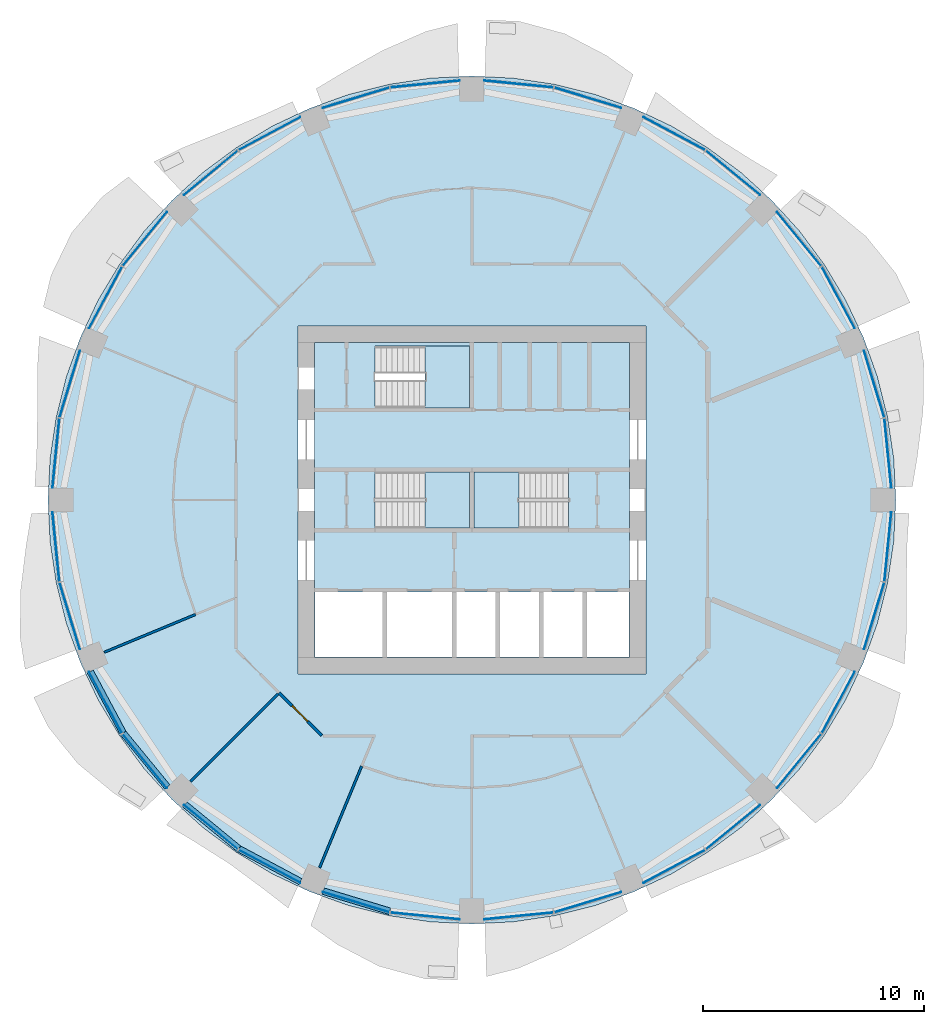
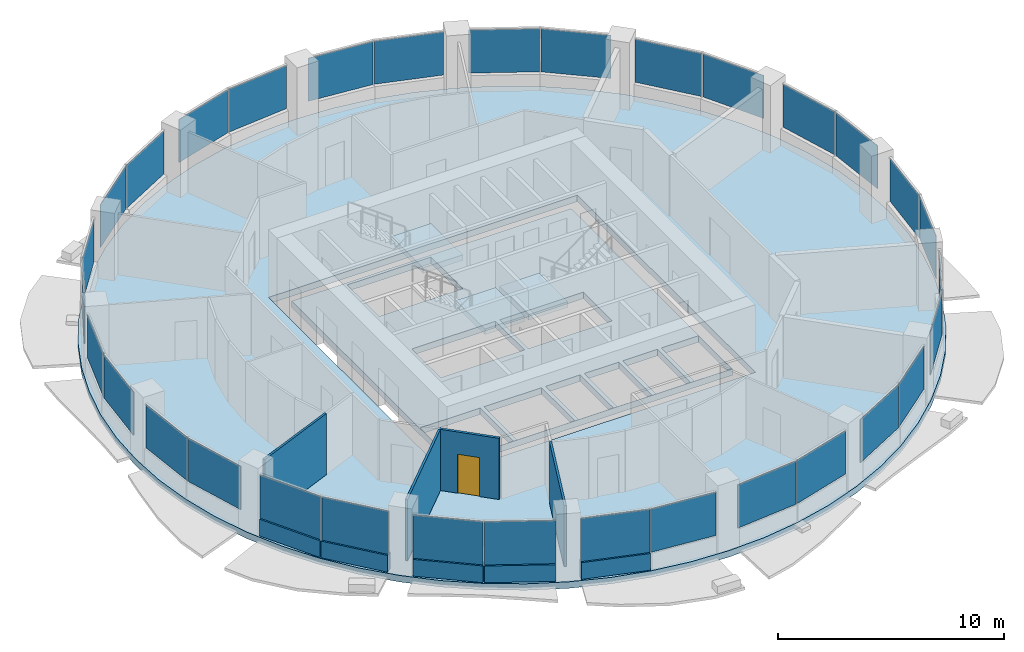
# One storey, part 6 of 14: 32 plates, 9 walls, 5 slabs, 1 door, 1 opening, 19 elements without a shape of their own.
"""IFC4 building model written with IfcOpenShell, lengths in metres."""

import ifcopenshell
import ifcopenshell.guid

model = None  # the IFC model being written
_history = None  # IfcOwnerHistory: only IFC2X3 demands one
_inside = {}  # id of a spatial element -> (the spatial element, [elements in it])
_under = {}  # id of a project, library or spatial element -> (it, [spatial elements below it])
_declared = {}  # id of a project -> (the project, [libraries it declares])
_typed = {}  # id of a type object -> (the type object, [elements of that type])
_made_of = {}  # id of a material, layer set ... -> (it, [elements and type objects made of it])


def new_model(schema):
    """Start an empty IFC model of exactly this schema.

    Asked for "IFC4X3", IfcOpenShell would pick the latest addendum, in which some entities
    have other attributes; the version numbers below select the first issue.
    IFC2X3 requires an IfcOwnerHistory on every rooted entity: one is made here for all.
    """
    global model, _history
    if schema == "IFC4X3":
        model = ifcopenshell.file(schema_version=(4, 3, 0, 0))
    else:
        model = ifcopenshell.file(schema=schema)
    _inside.clear()
    _under.clear()
    _declared.clear()
    _typed.clear()
    _made_of.clear()
    _history = None
    if model.schema == "IFC2X3":
        org = make("IfcOrganization", Name="unknown")
        user = make(
            "IfcPersonAndOrganization",
            ThePerson=make("IfcPerson", FamilyName="unknown"),
            TheOrganization=org,
        )
        app = make(
            "IfcApplication",
            ApplicationDeveloper=org,
            Version="unknown",
            ApplicationFullName="unknown",
            ApplicationIdentifier="unknown",
        )
        _history = make(
            "IfcOwnerHistory",
            OwningUser=user,
            OwningApplication=app,
            ChangeAction="ADDED",
            CreationDate=0,
        )
    return model


def make(cls, **values):
    """One entity of the class cls with the attributes given. An attribute that is None is left unset."""
    return model.create_entity(
        cls, **{name: value for name, value in values.items() if value is not None}
    )


def rooted(cls, **values):
    """An entity with a GlobalId (a new one), such as an element, a storey or a relation."""
    return make(cls, GlobalId=ifcopenshell.guid.new(), OwnerHistory=_history, **values)


def si_unit(unit_type, name, prefix=None):
    """IfcSIUnit, for example si_unit("LENGTHUNIT", "METRE", prefix="MILLI")."""
    return make("IfcSIUnit", UnitType=unit_type, Prefix=prefix, Name=name)


def assignment(units):
    """IfcUnitAssignment: the units of a project."""
    return None if units is None else make("IfcUnitAssignment", Units=units)


def point(xyz):
    """IfcCartesianPoint."""
    return None if xyz is None else make("IfcCartesianPoint", Coordinates=xyz)


def direction(xyz):
    """IfcDirection."""
    return None if xyz is None else make("IfcDirection", DirectionRatios=xyz)


def frame(location, z_axis=None, x_axis=None):
    """IfcAxis2Placement3D, a coordinate frame: its origin and axes. An axis left out is left unset."""
    return make(
        "IfcAxis2Placement3D",
        Location=point(location),
        Axis=direction(z_axis),
        RefDirection=direction(x_axis),
    )


def frame_2d(location, x_axis=None):
    """IfcAxis2Placement2D, a coordinate frame in the plane: its origin and x axis."""
    return make(
        "IfcAxis2Placement2D", Location=point(location), RefDirection=direction(x_axis)
    )


def origin():
    """The frame at (0, 0, 0) with its axes left unset."""
    return frame((0.0, 0.0, 0.0))


def origin_2d():
    """The frame at (0, 0) in the plane with its x axis left unset."""
    return frame_2d((0.0, 0.0))


def place(relative_to, where):
    """IfcLocalPlacement: puts the frame where relative to a parent placement (None: the world)."""
    return make(
        "IfcLocalPlacement", PlacementRelTo=relative_to, RelativePlacement=where
    )


def context(
    kind, dimensions, precision=None, world=None, true_north=None, identifier=None
):
    """IfcGeometricRepresentationContext, for example the 3D "Model" context."""
    return make(
        "IfcGeometricRepresentationContext",
        ContextIdentifier=identifier,
        ContextType=kind,
        CoordinateSpaceDimension=dimensions,
        Precision=precision,
        WorldCoordinateSystem=world,
        TrueNorth=true_north,
    )


def subcontext(parent, identifier, kind, view, scale=None):
    """IfcGeometricRepresentationSubContext, for example "Body" below "Model"."""
    return make(
        "IfcGeometricRepresentationSubContext",
        ContextIdentifier=identifier,
        ContextType=kind,
        ParentContext=parent,
        TargetScale=scale,
        TargetView=view,
    )


def project(units=None, contexts=None):
    """IfcProject with its units and contexts."""
    return rooted(
        "IfcProject",
        Name="project",
        RepresentationContexts=contexts,
        UnitsInContext=assignment(units),
    )


def spatial(cls, under=None, at=None, **own):
    """A site, building, storey or space (cls), placed at a placement, below another one or the project."""
    s = rooted(cls, ObjectPlacement=at, **own)
    if under is not None:
        _under.setdefault(under.id(), (under, []))[1].append(s)
    return s


def polyline(points):
    """IfcPolyline through the points."""
    return make("IfcPolyline", Points=[point(p) for p in points])


def profile(cls, at=None, kind="AREA", **sizes):
    """A parametric profile (cls). Its sizes go by their IFC names, for example OverallWidth=200.0."""
    return make(cls, ProfileType=kind, Position=at, **sizes)


def rectangle(**sizes):
    """IfcRectangleProfileDef."""
    return profile("IfcRectangleProfileDef", **sizes)


def outline(outer, holes=None, kind="AREA"):
    """IfcArbitraryClosedProfileDef: a profile drawn as a closed curve; with holes, ...WithVoids."""
    if holes is None:
        return make("IfcArbitraryClosedProfileDef", ProfileType=kind, OuterCurve=outer)
    return make(
        "IfcArbitraryProfileDefWithVoids",
        ProfileType=kind,
        OuterCurve=outer,
        InnerCurves=holes,
    )


def extrude(swept, where, along, depth):
    """IfcExtrudedAreaSolid: the profile swept, set in the frame where, extruded along a direction by depth."""
    return make(
        "IfcExtrudedAreaSolid",
        SweptArea=swept,
        Position=where,
        ExtrudedDirection=direction(along),
        Depth=depth,
    )


def shape(context_of_items, identifier, shape_type, items):
    """IfcShapeRepresentation: the items that make up one representation, for example the "Body"."""
    return make(
        "IfcShapeRepresentation",
        ContextOfItems=context_of_items,
        RepresentationIdentifier=identifier,
        RepresentationType=shape_type,
        Items=items,
    )


def material(Name=None, Category=None):
    """IfcMaterial."""
    return make("IfcMaterial", Name=Name, Category=Category)


def layer(
    of_material, thickness, ventilated=None, Name=None, Category=None, Priority=None
):
    """IfcMaterialLayer: one layer of a wall or slab, of a material (None: an air gap)."""
    return make(
        "IfcMaterialLayer",
        Material=of_material,
        LayerThickness=thickness,
        IsVentilated=ventilated,
        Name=Name,
        Category=Category,
        Priority=Priority,
    )


def layer_set(layers, Name=None):
    """IfcMaterialLayerSet."""
    return make("IfcMaterialLayerSet", MaterialLayers=layers, LayerSetName=Name)


def made_of(thing, what):
    """Note that an element or type object is made of a material, layer set ...; save() writes the relation."""
    if what is not None:
        _made_of.setdefault(what.id(), (what, []))[1].append(thing)
    return thing


def type_object(cls, material=None, **own):
    """A type object (cls), such as IfcWallType, which elements share."""
    return made_of(rooted(cls, **own), material)


def element(
    cls,
    number,
    at=None,
    inside=None,
    cuts=None,
    type_object=None,
    material=None,
    context=None,
    identifier="Body",
    shape_type=None,
    held_by="IfcProductDefinitionShape",
    body=None,
    shapes=None,
    **own,
):
    """One element of the class cls, such as IfcWall. Its Tag is "e" and its number.

    at: its placement. inside: the storey or other place that contains it. cuts: it is an
    opening in that element (IfcRelVoidsElement). A single representation is given by context,
    identifier, shape_type and body (its items); several are given by shapes. held_by: the class
    of the entity that holds the representations. save() writes the other relations.
    """
    e = rooted(cls, Tag="e%d" % number, ObjectPlacement=at, **own)
    if body is not None:
        shapes = [shape(context, identifier, shape_type, body)]
    if shapes is not None:
        e.Representation = make(held_by, Representations=shapes)
    if inside is not None:
        _inside.setdefault(inside.id(), (inside, []))[1].append(e)
    if cuts is not None:
        rooted(
            "IfcRelVoidsElement", RelatingBuildingElement=cuts, RelatedOpeningElement=e
        )
    if type_object is not None:
        _typed.setdefault(type_object.id(), (type_object, []))[1].append(e)
    return made_of(e, material)


def fill(opening, filler):
    """IfcRelFillsElement: the door or window that sits in an opening."""
    return rooted(
        "IfcRelFillsElement",
        RelatingOpeningElement=opening,
        RelatedBuildingElement=filler,
    )


def aggregate(whole, parts):
    """IfcRelAggregates: a whole, such as a stair, and the parts it consists of."""
    return rooted("IfcRelAggregates", RelatingObject=whole, RelatedObjects=parts)


def save(model, path):
    """Write the relations noted so far, then the file.

    IfcRelAggregates (storeys below a building ...), IfcRelContainedInSpatialStructure (elements
    in a storey), IfcRelDefinesByType, IfcRelAssociatesMaterial and IfcRelDeclares: one each for
    every whole, place, type object, material and project.
    """
    for whole, parts in _under.values():
        aggregate(whole, parts)
    for where, things in _inside.values():
        rooted(
            "IfcRelContainedInSpatialStructure",
            RelatedElements=things,
            RelatingStructure=where,
        )
    for kind, things in _typed.values():
        rooted("IfcRelDefinesByType", RelatedObjects=things, RelatingType=kind)
    for what, things in _made_of.values():
        rooted("IfcRelAssociatesMaterial", RelatedObjects=things, RelatingMaterial=what)
    for by, libraries in _declared.values():
        rooted("IfcRelDeclares", RelatingContext=by, RelatedDefinitions=libraries)
    model.write(path)


model = new_model("IFC4")

# Units and contexts
model_context = context("Model", 3, precision=1e-05, world=origin(), true_north=direction((0.0, 1.0)))
body_context = subcontext(model_context, "Body", "Model", "MODEL_VIEW")
ifc_project = project(units=[si_unit("LENGTHUNIT", "METRE"), si_unit("AREAUNIT", "SQUARE_METRE"), si_unit("VOLUMEUNIT", "CUBIC_METRE"), si_unit("PLANEANGLEUNIT", "RADIAN"), si_unit("MASSUNIT", "GRAM", prefix="KILO")], contexts=[model_context])

# Site, building, storey
site_placement = place(None, origin())
site = spatial("IfcSite", under=ifc_project, at=site_placement, CompositionType="ELEMENT")
building_placement = place(site_placement, origin())
building = spatial("IfcBuilding", under=site, at=building_placement, Name="Polderwave Tower", CompositionType="ELEMENT")
storey_placement = place(building_placement, frame((0.0, 0.0, 109.25)))
storey = spatial("IfcBuildingStorey", under=building, at=storey_placement, Name="L28", CompositionType="ELEMENT", Elevation=109.25)

# Slab
ifc_material_1 = material(Name="Concrete C40/50", Category="concrete")
ifc_layer_1 = layer(ifc_material_1, 0.35009765625)
ifc_layer_set_1 = layer_set([ifc_layer_1], Name="Core floor slab 350")
slab_type_1 = type_object("IfcSlabType", Name="Core floor slab 350", PredefinedType="FLOOR", material=ifc_layer_set_1)
slab_1_placement = place(storey_placement, frame((0.0, 0.0, -0.35009765625)))
element("IfcSlab", 1, at=slab_1_placement, inside=storey, type_object=slab_type_1, Name="L28 core floor", PredefinedType="FLOOR", context=body_context, shape_type="SweptSolid", body=[
    extrude(outline(polyline([(-7.1240234375, -7.1240234375), (7.1240234375, -7.1240234375), (7.1240234375, 7.1240234375), (-7.1240234375, 7.1240234375), (-7.1240234375, -7.1240234375)]), holes=[polyline([(-7.10400390625, -7.10400390625), (-4.037109375, -7.10400390625), (-4.037109375, -4.174072265625), (-7.10400390625, -4.174072265625), (-7.10400390625, -7.10400390625)]), polyline([(-3.8369140625, -7.10400390625), (-0.89990234375, -7.10400390625), (-0.89990234375, -4.174072265625), (-3.8369140625, -4.174072265625), (-3.8369140625, -7.10400390625)]), polyline([(-0.699951171875, -7.10400390625), (1.068603515625, -7.10400390625), (1.068603515625, -4.174072265625), (-0.699951171875, -4.174072265625), (-0.699951171875, -7.10400390625)]), polyline([(1.2685546875, -7.10400390625), (3.037109375, -7.10400390625), (3.037109375, -4.174072265625), (1.2685546875, -4.174072265625), (1.2685546875, -7.10400390625)]), polyline([(3.237060546875, -7.10400390625), (5.005615234375, -7.10400390625), (5.005615234375, -4.174072265625), (3.237060546875, -4.174072265625), (3.237060546875, -7.10400390625)]), polyline([(5.20556640625, -7.10400390625), (7.10400390625, -7.10400390625), (7.10400390625, -4.174072265625), (5.20556640625, -4.174072265625), (5.20556640625, -7.10400390625)]), polyline([(-4.37353515625, -1.2744140625), (-0.1005859375, -1.2744140625), (-0.1005859375, 1.2744140625), (-4.37353515625, 1.2744140625), (-4.37353515625, -1.2744140625)]), polyline([(0.1005859375, -1.2744140625), (4.37353515625, -1.2744140625), (4.37353515625, 1.2744140625), (0.1005859375, 1.2744140625), (0.1005859375, -1.2744140625)]), polyline([(-4.37353515625, 4.174560546875), (-0.1005859375, 4.174560546875), (-0.1005859375, 6.973388671875), (-4.37353515625, 6.973388671875), (-4.37353515625, 4.174560546875)])]), origin(), (0.0, 0.0, 1.0), 0.35009765625),
])

# Curtain wall, plates
ifc_material_2 = material(Name="Aluminium 6063-T6 and glass", Category="aluminium")
curtain_wall_type = type_object("IfcCurtainWallType", Name="Growing floor ribbon glazing wall", PredefinedType="NOTDEFINED", material=ifc_material_2)
curtain_wall_1_placement = place(storey_placement, origin())
curtain_wall_1 = element("IfcCurtainWall", 2, at=curtain_wall_1_placement, inside=storey, type_object=curtain_wall_type, Name="CW2 L28 00", PredefinedType="NOTDEFINED")
ifc_material_3 = material(Name="Glass, low-e laminated double glazing", Category="glass")
ifc_layer_2 = layer(ifc_material_3, 0.028076171875)
ifc_layer_set_2 = layer_set([ifc_layer_2], Name="Growing floor ribbon glazing glass panel 28 mm")
plate_type = type_object("IfcPlateType", Name="Growing floor ribbon glazing glass panel 28 mm", PredefinedType="CURTAIN_PANEL", material=ifc_layer_set_2)
plate_1_placement = place(storey_placement, frame((18.821533203125, 2.11669921875, 0.89990234375), z_axis=(0.0, 0.0, 1.0), x_axis=(-0.098164777877, 0.995170174585, 0.0)))
plate_1 = element("IfcPlate", 3, at=plate_1_placement, type_object=plate_type, Name="CW2 panel 1", PredefinedType="CURTAIN_PANEL", context=body_context, shape_type="SweptSolid", body=[
    extrude(rectangle(XDim=3.1484375, YDim=0.028076171875, at=origin_2d()), origin(), (0.0, 0.0, 1.0), 2.320068359375),
])
plate_2_placement = place(storey_placement, frame((18.198486328125, 5.247802734375, 0.89990234375), z_axis=(0.0, 0.0, 1.0), x_axis=(-0.290147719853, 0.956981870604, 0.0)))
plate_2 = element("IfcPlate", 4, at=plate_2_placement, type_object=plate_type, Name="CW2 panel 2", PredefinedType="CURTAIN_PANEL", context=body_context, shape_type="SweptSolid", body=[
    extrude(rectangle(XDim=3.147705078125, YDim=0.028076171875, at=origin_2d()), origin(), (0.0, 0.0, 1.0), 2.320068359375),
])
aggregate(curtain_wall_1, [plate_1, plate_2])

curtain_wall_2_placement = place(storey_placement, origin())
curtain_wall_2 = element("IfcCurtainWall", 5, at=curtain_wall_2_placement, inside=storey, type_object=curtain_wall_type, Name="CW2 L28 01", PredefinedType="NOTDEFINED")
plate_3_placement = place(storey_placement, frame((16.5791015625, 9.158203125, 0.89990234375), z_axis=(0.0, 0.0, 1.0), x_axis=(-0.471339783853, 0.881951703982, 0.0)))
plate_3 = element("IfcPlate", 6, at=plate_3_placement, type_object=plate_type, Name="CW2 panel 1", PredefinedType="CURTAIN_PANEL", context=body_context, shape_type="SweptSolid", body=[
    extrude(rectangle(XDim=3.148193359375, YDim=0.028076171875, at=origin_2d()), origin(), (0.0, 0.0, 1.0), 2.320068359375),
])
plate_4_placement = place(storey_placement, frame((14.805419921875, 11.8125, 0.89990234375), z_axis=(0.0, 0.0, 1.0), x_axis=(-0.634471532063, 0.772946230343, 0.0)))
plate_4 = element("IfcPlate", 7, at=plate_4_placement, type_object=plate_type, Name="CW2 panel 2", PredefinedType="CURTAIN_PANEL", context=body_context, shape_type="SweptSolid", body=[
    extrude(rectangle(XDim=3.1474609375, YDim=0.028076171875, at=origin_2d()), origin(), (0.0, 0.0, 1.0), 2.320068359375),
])
aggregate(curtain_wall_2, [plate_3, plate_4])

curtain_wall_3_placement = place(storey_placement, origin())
curtain_wall_3 = element("IfcCurtainWall", 8, at=curtain_wall_3_placement, inside=storey, type_object=curtain_wall_type, Name="CW2 L28 02", PredefinedType="NOTDEFINED")
plate_5_placement = place(storey_placement, frame((11.8125, 14.805419921875, 0.89990234375), z_axis=(0.0, 0.0, 1.0), x_axis=(-0.772946230343, 0.634471532063, 0.0)))
plate_5 = element("IfcPlate", 9, at=plate_5_placement, type_object=plate_type, Name="CW2 panel 1", PredefinedType="CURTAIN_PANEL", context=body_context, shape_type="SweptSolid", body=[
    extrude(rectangle(XDim=3.1474609375, YDim=0.028076171875, at=origin_2d()), origin(), (0.0, 0.0, 1.0), 2.320068359375),
])
plate_6_placement = place(storey_placement, frame((9.158203125, 16.5791015625, 0.89990234375), z_axis=(0.0, 0.0, 1.0), x_axis=(-0.881951703982, 0.471339783853, 0.0)))
plate_6 = element("IfcPlate", 10, at=plate_6_placement, type_object=plate_type, Name="CW2 panel 2", PredefinedType="CURTAIN_PANEL", context=body_context, shape_type="SweptSolid", body=[
    extrude(rectangle(XDim=3.148193359375, YDim=0.028076171875, at=origin_2d()), origin(), (0.0, 0.0, 1.0), 2.320068359375),
])
aggregate(curtain_wall_3, [plate_5, plate_6])

curtain_wall_4_placement = place(storey_placement, origin())
curtain_wall_4 = element("IfcCurtainWall", 11, at=curtain_wall_4_placement, inside=storey, type_object=curtain_wall_type, Name="CW2 L28 03", PredefinedType="NOTDEFINED")
plate_7_placement = place(storey_placement, frame((5.247802734375, 18.198486328125, 0.89990234375), z_axis=(0.0, 0.0, 1.0), x_axis=(-0.956981870604, 0.290147719853, 0.0)))
plate_7 = element("IfcPlate", 12, at=plate_7_placement, type_object=plate_type, Name="CW2 panel 1", PredefinedType="CURTAIN_PANEL", context=body_context, shape_type="SweptSolid", body=[
    extrude(rectangle(XDim=3.147705078125, YDim=0.028076171875, at=origin_2d()), origin(), (0.0, 0.0, 1.0), 2.320068359375),
])
plate_8_placement = place(storey_placement, frame((2.11669921875, 18.821533203125, 0.89990234375), z_axis=(0.0, 0.0, 1.0), x_axis=(-0.995170174585, 0.098164777877, 0.0)))
plate_8 = element("IfcPlate", 13, at=plate_8_placement, type_object=plate_type, Name="CW2 panel 2", PredefinedType="CURTAIN_PANEL", context=body_context, shape_type="SweptSolid", body=[
    extrude(rectangle(XDim=3.1484375, YDim=0.028076171875, at=origin_2d()), origin(), (0.0, 0.0, 1.0), 2.320068359375),
])
aggregate(curtain_wall_4, [plate_7, plate_8])

curtain_wall_5_placement = place(storey_placement, origin())
curtain_wall_5 = element("IfcCurtainWall", 14, at=curtain_wall_5_placement, inside=storey, type_object=curtain_wall_type, Name="CW2 L28 04", PredefinedType="NOTDEFINED")
plate_9_placement = place(storey_placement, frame((-2.11669921875, 18.821533203125, 0.89990234375), z_axis=(0.0, 0.0, 1.0), x_axis=(-0.995170174585, -0.098164777877, 0.0)))
plate_9 = element("IfcPlate", 15, at=plate_9_placement, type_object=plate_type, Name="CW2 panel 1", PredefinedType="CURTAIN_PANEL", context=body_context, shape_type="SweptSolid", body=[
    extrude(rectangle(XDim=3.1484375, YDim=0.028076171875, at=origin_2d()), origin(), (0.0, 0.0, 1.0), 2.320068359375),
])
plate_10_placement = place(storey_placement, frame((-5.247802734375, 18.198486328125, 0.89990234375), z_axis=(0.0, 0.0, 1.0), x_axis=(-0.956981870604, -0.290147719853, 0.0)))
plate_10 = element("IfcPlate", 16, at=plate_10_placement, type_object=plate_type, Name="CW2 panel 2", PredefinedType="CURTAIN_PANEL", context=body_context, shape_type="SweptSolid", body=[
    extrude(rectangle(XDim=3.147705078125, YDim=0.028076171875, at=origin_2d()), origin(), (0.0, 0.0, 1.0), 2.320068359375),
])
aggregate(curtain_wall_5, [plate_9, plate_10])

curtain_wall_6_placement = place(storey_placement, origin())
curtain_wall_6 = element("IfcCurtainWall", 17, at=curtain_wall_6_placement, inside=storey, type_object=curtain_wall_type, Name="CW2 L28 05", PredefinedType="NOTDEFINED")
plate_11_placement = place(storey_placement, frame((-9.158203125, 16.5791015625, 0.89990234375), z_axis=(0.0, 0.0, 1.0), x_axis=(-0.881951703982, -0.471339783853, 0.0)))
plate_11 = element("IfcPlate", 18, at=plate_11_placement, type_object=plate_type, Name="CW2 panel 1", PredefinedType="CURTAIN_PANEL", context=body_context, shape_type="SweptSolid", body=[
    extrude(rectangle(XDim=3.148193359375, YDim=0.028076171875, at=origin_2d()), origin(), (0.0, 0.0, 1.0), 2.320068359375),
])
plate_12_placement = place(storey_placement, frame((-11.8125, 14.805419921875, 0.89990234375), z_axis=(0.0, 0.0, 1.0), x_axis=(-0.772946230343, -0.634471532063, 0.0)))
plate_12 = element("IfcPlate", 19, at=plate_12_placement, type_object=plate_type, Name="CW2 panel 2", PredefinedType="CURTAIN_PANEL", context=body_context, shape_type="SweptSolid", body=[
    extrude(rectangle(XDim=3.1474609375, YDim=0.028076171875, at=origin_2d()), origin(), (0.0, 0.0, 1.0), 2.320068359375),
])
aggregate(curtain_wall_6, [plate_11, plate_12])

curtain_wall_7_placement = place(storey_placement, origin())
curtain_wall_7 = element("IfcCurtainWall", 20, at=curtain_wall_7_placement, inside=storey, type_object=curtain_wall_type, Name="CW2 L28 06", PredefinedType="NOTDEFINED")
plate_13_placement = place(storey_placement, frame((-14.805419921875, 11.8125, 0.89990234375), z_axis=(0.0, 0.0, 1.0), x_axis=(-0.634471532063, -0.772946230343, 0.0)))
plate_13 = element("IfcPlate", 21, at=plate_13_placement, type_object=plate_type, Name="CW2 panel 1", PredefinedType="CURTAIN_PANEL", context=body_context, shape_type="SweptSolid", body=[
    extrude(rectangle(XDim=3.1474609375, YDim=0.028076171875, at=origin_2d()), origin(), (0.0, 0.0, 1.0), 2.320068359375),
])
plate_14_placement = place(storey_placement, frame((-16.5791015625, 9.158203125, 0.89990234375), z_axis=(0.0, 0.0, 1.0), x_axis=(-0.471339783853, -0.881951703982, 0.0)))
plate_14 = element("IfcPlate", 22, at=plate_14_placement, type_object=plate_type, Name="CW2 panel 2", PredefinedType="CURTAIN_PANEL", context=body_context, shape_type="SweptSolid", body=[
    extrude(rectangle(XDim=3.148193359375, YDim=0.028076171875, at=origin_2d()), origin(), (0.0, 0.0, 1.0), 2.320068359375),
])
aggregate(curtain_wall_7, [plate_13, plate_14])

curtain_wall_8_placement = place(storey_placement, origin())
curtain_wall_8 = element("IfcCurtainWall", 23, at=curtain_wall_8_placement, inside=storey, type_object=curtain_wall_type, Name="CW2 L28 07", PredefinedType="NOTDEFINED")
plate_15_placement = place(storey_placement, frame((-18.198486328125, 5.247802734375, 0.89990234375), z_axis=(0.0, 0.0, 1.0), x_axis=(-0.290147719853, -0.956981870604, 0.0)))
plate_15 = element("IfcPlate", 24, at=plate_15_placement, type_object=plate_type, Name="CW2 panel 1", PredefinedType="CURTAIN_PANEL", context=body_context, shape_type="SweptSolid", body=[
    extrude(rectangle(XDim=3.147705078125, YDim=0.028076171875, at=origin_2d()), origin(), (0.0, 0.0, 1.0), 2.320068359375),
])
plate_16_placement = place(storey_placement, frame((-18.821533203125, 2.11669921875, 0.89990234375), z_axis=(0.0, 0.0, 1.0), x_axis=(-0.098164777877, -0.995170174585, 0.0)))
plate_16 = element("IfcPlate", 25, at=plate_16_placement, type_object=plate_type, Name="CW2 panel 2", PredefinedType="CURTAIN_PANEL", context=body_context, shape_type="SweptSolid", body=[
    extrude(rectangle(XDim=3.1484375, YDim=0.028076171875, at=origin_2d()), origin(), (0.0, 0.0, 1.0), 2.320068359375),
])
aggregate(curtain_wall_8, [plate_15, plate_16])

curtain_wall_9_placement = place(storey_placement, origin())
curtain_wall_9 = element("IfcCurtainWall", 26, at=curtain_wall_9_placement, inside=storey, type_object=curtain_wall_type, Name="CW2 L28 08", PredefinedType="NOTDEFINED")
plate_17_placement = place(storey_placement, frame((-18.821533203125, -2.11669921875, 0.89990234375), z_axis=(0.0, 0.0, 1.0), x_axis=(0.098164777877, -0.995170174585, 0.0)))
plate_17 = element("IfcPlate", 27, at=plate_17_placement, type_object=plate_type, Name="CW2 panel 1", PredefinedType="CURTAIN_PANEL", context=body_context, shape_type="SweptSolid", body=[
    extrude(rectangle(XDim=3.1484375, YDim=0.028076171875, at=origin_2d()), origin(), (0.0, 0.0, 1.0), 2.320068359375),
])
plate_18_placement = place(storey_placement, frame((-18.198486328125, -5.247802734375, 0.89990234375), z_axis=(0.0, 0.0, 1.0), x_axis=(0.290147719853, -0.956981870604, 0.0)))
plate_18 = element("IfcPlate", 28, at=plate_18_placement, type_object=plate_type, Name="CW2 panel 2", PredefinedType="CURTAIN_PANEL", context=body_context, shape_type="SweptSolid", body=[
    extrude(rectangle(XDim=3.147705078125, YDim=0.028076171875, at=origin_2d()), origin(), (0.0, 0.0, 1.0), 2.320068359375),
])
aggregate(curtain_wall_9, [plate_17, plate_18])

curtain_wall_10_placement = place(storey_placement, origin())
curtain_wall_10 = element("IfcCurtainWall", 29, at=curtain_wall_10_placement, inside=storey, type_object=curtain_wall_type, Name="CW2 L28 09", PredefinedType="NOTDEFINED")
plate_19_placement = place(storey_placement, frame((-16.5791015625, -9.158203125, 0.89990234375), z_axis=(0.0, 0.0, 1.0), x_axis=(0.471339783853, -0.881951703982, 0.0)))
plate_19 = element("IfcPlate", 30, at=plate_19_placement, type_object=plate_type, Name="CW2 panel 1", PredefinedType="CURTAIN_PANEL", context=body_context, shape_type="SweptSolid", body=[
    extrude(rectangle(XDim=3.148193359375, YDim=0.028076171875, at=origin_2d()), origin(), (0.0, 0.0, 1.0), 2.320068359375),
])
plate_20_placement = place(storey_placement, frame((-14.805419921875, -11.8125, 0.89990234375), z_axis=(0.0, 0.0, 1.0), x_axis=(0.634471532063, -0.772946230343, 0.0)))
plate_20 = element("IfcPlate", 31, at=plate_20_placement, type_object=plate_type, Name="CW2 panel 2", PredefinedType="CURTAIN_PANEL", context=body_context, shape_type="SweptSolid", body=[
    extrude(rectangle(XDim=3.1474609375, YDim=0.028076171875, at=origin_2d()), origin(), (0.0, 0.0, 1.0), 2.320068359375),
])
aggregate(curtain_wall_10, [plate_19, plate_20])

curtain_wall_11_placement = place(storey_placement, origin())
curtain_wall_11 = element("IfcCurtainWall", 32, at=curtain_wall_11_placement, inside=storey, type_object=curtain_wall_type, Name="CW2 L28 10", PredefinedType="NOTDEFINED")
plate_21_placement = place(storey_placement, frame((-11.8125, -14.805419921875, 0.89990234375), z_axis=(0.0, 0.0, 1.0), x_axis=(0.772946230343, -0.634471532063, 0.0)))
plate_21 = element("IfcPlate", 33, at=plate_21_placement, type_object=plate_type, Name="CW2 panel 1", PredefinedType="CURTAIN_PANEL", context=body_context, shape_type="SweptSolid", body=[
    extrude(rectangle(XDim=3.1474609375, YDim=0.028076171875, at=origin_2d()), origin(), (0.0, 0.0, 1.0), 2.320068359375),
])
plate_22_placement = place(storey_placement, frame((-9.158203125, -16.5791015625, 0.89990234375), z_axis=(0.0, 0.0, 1.0), x_axis=(0.881951703982, -0.471339783853, 0.0)))
plate_22 = element("IfcPlate", 34, at=plate_22_placement, type_object=plate_type, Name="CW2 panel 2", PredefinedType="CURTAIN_PANEL", context=body_context, shape_type="SweptSolid", body=[
    extrude(rectangle(XDim=3.148193359375, YDim=0.028076171875, at=origin_2d()), origin(), (0.0, 0.0, 1.0), 2.320068359375),
])
aggregate(curtain_wall_11, [plate_21, plate_22])

curtain_wall_12_placement = place(storey_placement, origin())
curtain_wall_12 = element("IfcCurtainWall", 35, at=curtain_wall_12_placement, inside=storey, type_object=curtain_wall_type, Name="CW2 L28 11", PredefinedType="NOTDEFINED")
plate_23_placement = place(storey_placement, frame((-5.247802734375, -18.198486328125, 0.89990234375), z_axis=(0.0, 0.0, 1.0), x_axis=(0.956981870604, -0.290147719853, 0.0)))
plate_23 = element("IfcPlate", 36, at=plate_23_placement, type_object=plate_type, Name="CW2 panel 1", PredefinedType="CURTAIN_PANEL", context=body_context, shape_type="SweptSolid", body=[
    extrude(rectangle(XDim=3.147705078125, YDim=0.028076171875, at=origin_2d()), origin(), (0.0, 0.0, 1.0), 2.320068359375),
])
plate_24_placement = place(storey_placement, frame((-2.11669921875, -18.821533203125, 0.89990234375), z_axis=(0.0, 0.0, 1.0), x_axis=(0.995170174585, -0.098164777877, 0.0)))
plate_24 = element("IfcPlate", 37, at=plate_24_placement, type_object=plate_type, Name="CW2 panel 2", PredefinedType="CURTAIN_PANEL", context=body_context, shape_type="SweptSolid", body=[
    extrude(rectangle(XDim=3.1484375, YDim=0.028076171875, at=origin_2d()), origin(), (0.0, 0.0, 1.0), 2.320068359375),
])
aggregate(curtain_wall_12, [plate_23, plate_24])

curtain_wall_13_placement = place(storey_placement, origin())
curtain_wall_13 = element("IfcCurtainWall", 38, at=curtain_wall_13_placement, inside=storey, type_object=curtain_wall_type, Name="CW2 L28 12", PredefinedType="NOTDEFINED")
plate_25_placement = place(storey_placement, frame((2.11669921875, -18.821533203125, 0.89990234375), z_axis=(0.0, 0.0, 1.0), x_axis=(0.995170174585, 0.098164777877, 0.0)))
plate_25 = element("IfcPlate", 39, at=plate_25_placement, type_object=plate_type, Name="CW2 panel 1", PredefinedType="CURTAIN_PANEL", context=body_context, shape_type="SweptSolid", body=[
    extrude(rectangle(XDim=3.1484375, YDim=0.028076171875, at=origin_2d()), origin(), (0.0, 0.0, 1.0), 2.320068359375),
])
plate_26_placement = place(storey_placement, frame((5.247802734375, -18.198486328125, 0.89990234375), z_axis=(0.0, 0.0, 1.0), x_axis=(0.956981870604, 0.290147719853, 0.0)))
plate_26 = element("IfcPlate", 40, at=plate_26_placement, type_object=plate_type, Name="CW2 panel 2", PredefinedType="CURTAIN_PANEL", context=body_context, shape_type="SweptSolid", body=[
    extrude(rectangle(XDim=3.147705078125, YDim=0.028076171875, at=origin_2d()), origin(), (0.0, 0.0, 1.0), 2.320068359375),
])
aggregate(curtain_wall_13, [plate_25, plate_26])

curtain_wall_14_placement = place(storey_placement, origin())
curtain_wall_14 = element("IfcCurtainWall", 41, at=curtain_wall_14_placement, inside=storey, type_object=curtain_wall_type, Name="CW2 L28 13", PredefinedType="NOTDEFINED")
plate_27_placement = place(storey_placement, frame((9.158203125, -16.5791015625, 0.89990234375), z_axis=(0.0, 0.0, 1.0), x_axis=(0.881951703982, 0.471339783853, 0.0)))
plate_27 = element("IfcPlate", 42, at=plate_27_placement, type_object=plate_type, Name="CW2 panel 1", PredefinedType="CURTAIN_PANEL", context=body_context, shape_type="SweptSolid", body=[
    extrude(rectangle(XDim=3.148193359375, YDim=0.028076171875, at=origin_2d()), origin(), (0.0, 0.0, 1.0), 2.320068359375),
])
plate_28_placement = place(storey_placement, frame((11.8125, -14.805419921875, 0.89990234375), z_axis=(0.0, 0.0, 1.0), x_axis=(0.772946230343, 0.634471532063, 0.0)))
plate_28 = element("IfcPlate", 43, at=plate_28_placement, type_object=plate_type, Name="CW2 panel 2", PredefinedType="CURTAIN_PANEL", context=body_context, shape_type="SweptSolid", body=[
    extrude(rectangle(XDim=3.1474609375, YDim=0.028076171875, at=origin_2d()), origin(), (0.0, 0.0, 1.0), 2.320068359375),
])
aggregate(curtain_wall_14, [plate_27, plate_28])

curtain_wall_15_placement = place(storey_placement, origin())
curtain_wall_15 = element("IfcCurtainWall", 44, at=curtain_wall_15_placement, inside=storey, type_object=curtain_wall_type, Name="CW2 L28 14", PredefinedType="NOTDEFINED")
plate_29_placement = place(storey_placement, frame((14.805419921875, -11.8125, 0.89990234375), z_axis=(0.0, 0.0, 1.0), x_axis=(0.634471532063, 0.772946230343, 0.0)))
plate_29 = element("IfcPlate", 45, at=plate_29_placement, type_object=plate_type, Name="CW2 panel 1", PredefinedType="CURTAIN_PANEL", context=body_context, shape_type="SweptSolid", body=[
    extrude(rectangle(XDim=3.1474609375, YDim=0.028076171875, at=origin_2d()), origin(), (0.0, 0.0, 1.0), 2.320068359375),
])
plate_30_placement = place(storey_placement, frame((16.5791015625, -9.158203125, 0.89990234375), z_axis=(0.0, 0.0, 1.0), x_axis=(0.471339783853, 0.881951703982, 0.0)))
plate_30 = element("IfcPlate", 46, at=plate_30_placement, type_object=plate_type, Name="CW2 panel 2", PredefinedType="CURTAIN_PANEL", context=body_context, shape_type="SweptSolid", body=[
    extrude(rectangle(XDim=3.148193359375, YDim=0.028076171875, at=origin_2d()), origin(), (0.0, 0.0, 1.0), 2.320068359375),
])
aggregate(curtain_wall_15, [plate_29, plate_30])

curtain_wall_16_placement = place(storey_placement, origin())
curtain_wall_16 = element("IfcCurtainWall", 47, at=curtain_wall_16_placement, inside=storey, type_object=curtain_wall_type, Name="CW2 L28 15", PredefinedType="NOTDEFINED")
plate_31_placement = place(storey_placement, frame((18.198486328125, -5.247802734375, 0.89990234375), z_axis=(0.0, 0.0, 1.0), x_axis=(0.290147719853, 0.956981870604, 0.0)))
plate_31 = element("IfcPlate", 48, at=plate_31_placement, type_object=plate_type, Name="CW2 panel 1", PredefinedType="CURTAIN_PANEL", context=body_context, shape_type="SweptSolid", body=[
    extrude(rectangle(XDim=3.147705078125, YDim=0.028076171875, at=origin_2d()), origin(), (0.0, 0.0, 1.0), 2.320068359375),
])
plate_32_placement = place(storey_placement, frame((18.821533203125, -2.11669921875, 0.89990234375), z_axis=(0.0, 0.0, 1.0), x_axis=(0.098164777877, 0.995170174585, 0.0)))
plate_32 = element("IfcPlate", 49, at=plate_32_placement, type_object=plate_type, Name="CW2 panel 2", PredefinedType="CURTAIN_PANEL", context=body_context, shape_type="SweptSolid", body=[
    extrude(rectangle(XDim=3.1484375, YDim=0.028076171875, at=origin_2d()), origin(), (0.0, 0.0, 1.0), 2.320068359375),
])
aggregate(curtain_wall_16, [plate_31, plate_32])

# Slab
ifc_layer_3 = layer(ifc_material_1, 0.35009765625)
ifc_layer_set_3 = layer_set([ifc_layer_3], Name="PT FLOOR SLAB 350 C40/50")
slab_type_2 = type_object("IfcSlabType", Name="PT FLOOR SLAB 350 C40/50", PredefinedType="FLOOR", material=ifc_layer_set_3)
slab_2_placement = place(storey_placement, frame((0.0, 0.0, -0.35009765625)))
element("IfcSlab", 50, at=slab_2_placement, inside=storey, type_object=slab_type_2, Name="ST-SLAB-L28", PredefinedType="FLOOR", context=body_context, shape_type="SweptSolid", body=[
    extrude(outline(polyline([(19.179931640625, 0.0), (19.087646484375, 1.8798828125), (18.8115234375, 3.74169921875), (18.35400390625, 5.567626953125), (17.719970703125, 7.33984375), (16.915283203125, 9.04150390625), (15.947509765625, 10.65576171875), (14.826416015625, 12.167724609375), (13.562255859375, 13.562255859375), (12.167724609375, 14.826416015625), (10.65576171875, 15.947509765625), (9.04150390625, 16.915283203125), (7.33984375, 17.719970703125), (5.567626953125, 18.35400390625), (3.74169921875, 18.8115234375), (1.8798828125, 19.087646484375), (0.0, 19.179931640625), (-1.8798828125, 19.087646484375), (-3.74169921875, 18.8115234375), (-5.567626953125, 18.35400390625), (-7.33984375, 17.719970703125), (-9.04150390625, 16.915283203125), (-10.65576171875, 15.947509765625), (-12.167724609375, 14.826416015625), (-13.562255859375, 13.562255859375), (-14.826416015625, 12.167724609375), (-15.947509765625, 10.65576171875), (-16.915283203125, 9.04150390625), (-17.719970703125, 7.33984375), (-18.35400390625, 5.567626953125), (-18.8115234375, 3.74169921875), (-19.087646484375, 1.8798828125), (-19.179931640625, 0.0), (-19.087646484375, -1.8798828125), (-18.8115234375, -3.74169921875), (-18.35400390625, -5.567626953125), (-17.719970703125, -7.33984375), (-16.915283203125, -9.04150390625), (-15.947509765625, -10.65576171875), (-14.826416015625, -12.167724609375), (-13.562255859375, -13.562255859375), (-12.167724609375, -14.826416015625), (-10.65576171875, -15.947509765625), (-9.04150390625, -16.915283203125), (-7.33984375, -17.719970703125), (-5.567626953125, -18.35400390625), (-3.74169921875, -18.8115234375), (-1.8798828125, -19.087646484375), (0.0, -19.179931640625), (1.8798828125, -19.087646484375), (3.74169921875, -18.8115234375), (5.567626953125, -18.35400390625), (7.33984375, -17.719970703125), (9.04150390625, -16.915283203125), (10.65576171875, -15.947509765625), (12.167724609375, -14.826416015625), (13.562255859375, -13.562255859375), (14.826416015625, -12.167724609375), (15.947509765625, -10.65576171875), (16.915283203125, -9.04150390625), (17.719970703125, -7.33984375), (18.35400390625, -5.567626953125), (18.8115234375, -3.74169921875), (19.087646484375, -1.8798828125), (19.179931640625, 0.0)]), holes=[polyline([(-7.8740234375, -7.8740234375), (7.8740234375, -7.8740234375), (7.8740234375, 7.8740234375), (-7.8740234375, 7.8740234375), (-7.8740234375, -7.8740234375)])]), origin(), (0.0, 0.0, 1.0), 0.35009765625),
])

# Stair, slab
stair_type = type_object("IfcStairType", Name="Exit stair 1200 x 20 risers", PredefinedType="HALF_TURN_STAIR", material=ifc_material_1)
stair_1_placement = place(storey_placement, origin())
stair_1 = element("IfcStair", 51, at=stair_1_placement, inside=storey, type_object=stair_type, Name="L28 Exit stair A", PredefinedType="HALF_TURN_STAIR")
ifc_layer_4 = layer(ifc_material_1, 0.300048828125)
ifc_layer_set_4 = layer_set([ifc_layer_4], Name="Stair landing 300")
slab_type_3 = type_object("IfcSlabType", Name="Stair landing 300", PredefinedType="LANDING", material=ifc_layer_set_4)
slab_3_placement = place(storey_placement, frame((0.0, 0.0, 1.52490234375)))
slab_3 = element("IfcSlab", 52, at=slab_3_placement, type_object=slab_type_3, Name="ST-A landing 1", PredefinedType="LANDING", context=body_context, shape_type="SweptSolid", body=[
    extrude(outline(polyline([(-2.1240234375, -1.27490234375), (-0.10009765625, -1.27490234375), (-0.10009765625, 1.27490234375), (-2.1240234375, 1.27490234375), (-2.1240234375, -1.27490234375)])), origin(), (0.0, 0.0, 1.0), 0.300048828125),
])
aggregate(stair_1, [slab_3])

stair_2_placement = place(storey_placement, origin())
stair_2 = element("IfcStair", 53, at=stair_2_placement, inside=storey, type_object=stair_type, Name="L28 Exit stair B", PredefinedType="HALF_TURN_STAIR")
slab_4_placement = place(storey_placement, frame((0.0, 0.0, 1.52490234375)))
slab_4 = element("IfcSlab", 54, at=slab_4_placement, type_object=slab_type_3, Name="ST-B landing 1", PredefinedType="LANDING", context=body_context, shape_type="SweptSolid", body=[
    extrude(outline(polyline([(2.1240234375, 1.27490234375), (0.10009765625, 1.27490234375), (0.10009765625, -1.27490234375), (2.1240234375, -1.27490234375), (2.1240234375, 1.27490234375)])), origin(), (0.0, 0.0, 1.0), 0.300048828125),
])
aggregate(stair_2, [slab_4])

stair_3_placement = place(storey_placement, origin())
stair_3 = element("IfcStair", 55, at=stair_3_placement, inside=storey, type_object=stair_type, Name="L28 Exit stair C", PredefinedType="HALF_TURN_STAIR")
slab_5_placement = place(storey_placement, frame((0.0, 0.0, 1.52490234375)))
slab_5 = element("IfcSlab", 56, at=slab_5_placement, type_object=slab_type_3, Name="ST-C landing 1", PredefinedType="LANDING", context=body_context, shape_type="SweptSolid", body=[
    extrude(outline(polyline([(-2.1240234375, 4.174072265625), (-0.10009765625, 4.174072265625), (-0.10009765625, 6.97412109375), (-2.1240234375, 6.97412109375), (-2.1240234375, 4.174072265625)])), origin(), (0.0, 0.0, 1.0), 0.300048828125),
])
aggregate(stair_3, [slab_5])

# Walls
ifc_material_4 = material(Name="Concrete C50/60 (board-marked)", Category="concrete")
ifc_layer_5 = layer(ifc_material_4, 0.300048828125)
ifc_layer_set_5 = layer_set([ifc_layer_5], Name="Concrete spandrel upstand C50/60")
wall_type_1 = type_object("IfcWallType", Name="Concrete spandrel upstand C50/60", PredefinedType="SOLIDWALL", material=ifc_layer_set_5)
wall_1_placement = place(storey_placement, frame((-17.267822265625, -7.76318359375, 0.0), z_axis=(0.0, 0.0, 1.0), x_axis=(0.471375185282, -0.88193278355, 0.0)))
element("IfcWall", 57, at=wall_1_placement, inside=storey, type_object=wall_type_1, Name="Spandrel L28 10a", PredefinedType="SOLIDWALL", context=body_context, shape_type="SweptSolid", body=[
    extrude(rectangle(XDim=3.13916015625, YDim=0.300048828125, at=frame_2d((1.569580078125, 0.0))), origin(), (0.0, 0.0, 1.0), 0.89990234375),
])
for number, where, z_axis, x_axis, name in (
    (58, (-15.771484375, -10.556640625, 0.0), (0.0, 0.0, 1.0), (0.634274895162, -0.773107597536, 0.0), "Spandrel L28 10b"),
    (59, (-12.9833984375, -13.780517578125, 0.0), (0.0, 0.0, 1.0), (0.773107597536, -0.634274895162, 0.0), "Spandrel L28 11a"),
):
    element("IfcWall", number, at=place(storey_placement, frame(where, z_axis=z_axis, x_axis=x_axis)), inside=storey, type_object=wall_type_1, Name=name, PredefinedType="SOLIDWALL", context=body_context, shape_type="SweptSolid", body=[
        extrude(rectangle(XDim=3.138916015625, YDim=0.300048828125, at=frame_2d((1.5693359375, 0.0))), origin(), (0.0, 0.0, 1.0), 0.89990234375),
    ])
wall_2_placement = place(storey_placement, frame((-10.53173828125, -15.7880859375, 0.0), z_axis=(0.0, 0.0, 1.0), x_axis=(0.88193278355, -0.471375185282, 0.0)))
element("IfcWall", 60, at=wall_2_placement, inside=storey, type_object=wall_type_1, Name="Spandrel L28 11b", PredefinedType="SOLIDWALL", context=body_context, shape_type="SweptSolid", body=[
    extrude(rectangle(XDim=3.13916015625, YDim=0.300048828125, at=frame_2d((1.569580078125, 0.0))), origin(), (0.0, 0.0, 1.0), 0.89990234375),
])
wall_3_placement = place(storey_placement, frame((-6.7216796875, -17.699462890625, 0.0), z_axis=(0.0, 0.0, 1.0), x_axis=(0.956961595403, -0.290214584271, 0.0)))
element("IfcWall", 61, at=wall_3_placement, inside=storey, type_object=wall_type_1, Name="Spandrel L28 12a", PredefinedType="SOLIDWALL", context=body_context, shape_type="SweptSolid", body=[
    extrude(rectangle(XDim=3.139404296875, YDim=0.300048828125, at=frame_2d((1.56982421875, 0.0))), origin(), (0.0, 0.0, 1.0), 0.89990234375),
])

# Wall, opening, door
ifc_material_5 = material(Name="Fire-resisting board on steel studs", Category="steel")
ifc_layer_6 = layer(ifc_material_5, 0.125)
ifc_layer_set_6 = layer_set([ifc_layer_6], Name="Corridor wall 125 mm EI 60")
wall_type_2 = type_object("IfcWallType", Name="Corridor wall 125 mm EI 60", PredefinedType="PARTITIONING", material=ifc_layer_set_6)
wall_4_placement = place(storey_placement, frame((-6.789306640625, -10.65576171875, 0.0), z_axis=(0.0, 0.0, 1.0), x_axis=(-0.707062130741, 0.707151428813, 0.0)))
wall_4 = element("IfcWall", 62, at=wall_4_placement, inside=storey, type_object=wall_type_2, Name="IN-L28-W017", PredefinedType="PARTITIONING", context=body_context, shape_type="SweptSolid", body=[
    extrude(rectangle(XDim=2.73388671875, YDim=0.125, at=frame_2d((1.366943359375, 0.0))), origin(), (0.0, 0.0, 1.0), 3.300048828125),
])
opening_placement = place(wall_4_placement, frame((0.89990234375, 0.0, 0.0)))
opening = element("IfcOpeningElement", 63, at=opening_placement, cuts=wall_4, Name="Opening L28-D60", PredefinedType="OPENING", context=body_context, shape_type="SweptSolid", body=[
    extrude(rectangle(XDim=1.0, YDim=2.10009765625, at=frame_2d((0.5, 1.050048828125))), frame((0.0, 0.072509765625, 0.0), z_axis=(0.0, -1.0, 0.0), x_axis=(1.0, 0.0, 0.0)), (0.0, 0.0, 1.0), 0.14501953125),
])
ifc_material_6 = material(Name="Timber fire door leaf", Category="wood")
door_type = type_object("IfcDoorType", Name="Fire door FD30S 1000 x 2100", OperationType="NOTDEFINED", PredefinedType="DOOR", material=ifc_material_6)
door_placement = place(opening_placement, origin())
door = element("IfcDoor", 64, at=door_placement, inside=storey, type_object=door_type, Name="Door L28-D60", OperationType="SINGLE_SWING_RIGHT", OverallHeight=2.10009765625, OverallWidth=1.0, PredefinedType="DOOR", context=body_context, shape_type="SweptSolid", body=[
    extrude(rectangle(XDim=1.0, YDim=2.10009765625, at=frame_2d((0.5, 1.050048828125))), frame((0.0, 0.02490234375, 0.0), z_axis=(0.0, -1.0, 0.0), x_axis=(1.0, 0.0, 0.0)), (0.0, 0.0, 1.0), 0.050048828125),
])
fill(opening, door)

# Walls
ifc_material_7 = material(Name="Moisture-resistant board on steel studs, tiled", Category="steel")
ifc_layer_7 = layer(ifc_material_7, 0.10498046875)
ifc_layer_set_7 = layer_set([ifc_layer_7], Name="Partition 105 mm wet room board and tile")
wall_type_3 = type_object("IfcWallType", Name="Partition 105 mm wet room board and tile", PredefinedType="PARTITIONING", material=ifc_layer_set_7)
wall_5_placement = place(storey_placement, frame((-12.5, -5.177734375, 0.0), z_axis=(0.0, 0.0, 1.0), x_axis=(-0.923895686767, -0.382644430213, 0.0)))
element("IfcWall", 65, at=wall_5_placement, inside=storey, type_object=wall_type_3, Name="IN-L28-W046", PredefinedType="PARTITIONING", context=body_context, shape_type="SweptSolid", body=[
    extrude(rectangle(XDim=4.469970703125, YDim=0.10498046875, at=frame_2d((2.23486328125, 0.0))), origin(), (0.0, 0.0, 1.0), 3.300048828125),
])
wall_6_placement = place(storey_placement, frame((-12.727783203125, -12.727783203125, 0.0), z_axis=(0.0, 0.0, 1.0), x_axis=(0.707106781187, 0.707106781187, 0.0)))
element("IfcWall", 66, at=wall_6_placement, inside=storey, type_object=wall_type_3, Name="IN-L28-W048", PredefinedType="PARTITIONING", context=body_context, shape_type="SweptSolid", body=[
    extrude(rectangle(XDim=5.60205078125, YDim=0.10498046875, at=frame_2d((2.801025390625, 0.0))), origin(), (0.0, 0.0, 1.0), 3.300048828125),
])
wall_7_placement = place(storey_placement, frame((-4.986328125, -12.0380859375, 0.0), z_axis=(0.0, 0.0, 1.0), x_axis=(-0.38266126553, -0.923888714003, 0.0)))
element("IfcWall", 67, at=wall_7_placement, inside=storey, type_object=wall_type_3, Name="IN-L28-W050", PredefinedType="PARTITIONING", context=body_context, shape_type="SweptSolid", body=[
    extrude(rectangle(XDim=4.969970703125, YDim=0.10498046875, at=frame_2d((2.48486328125, 0.0))), origin(), (0.0, 0.0, 1.0), 3.300048828125),
])

save(model, "model.ifc")
